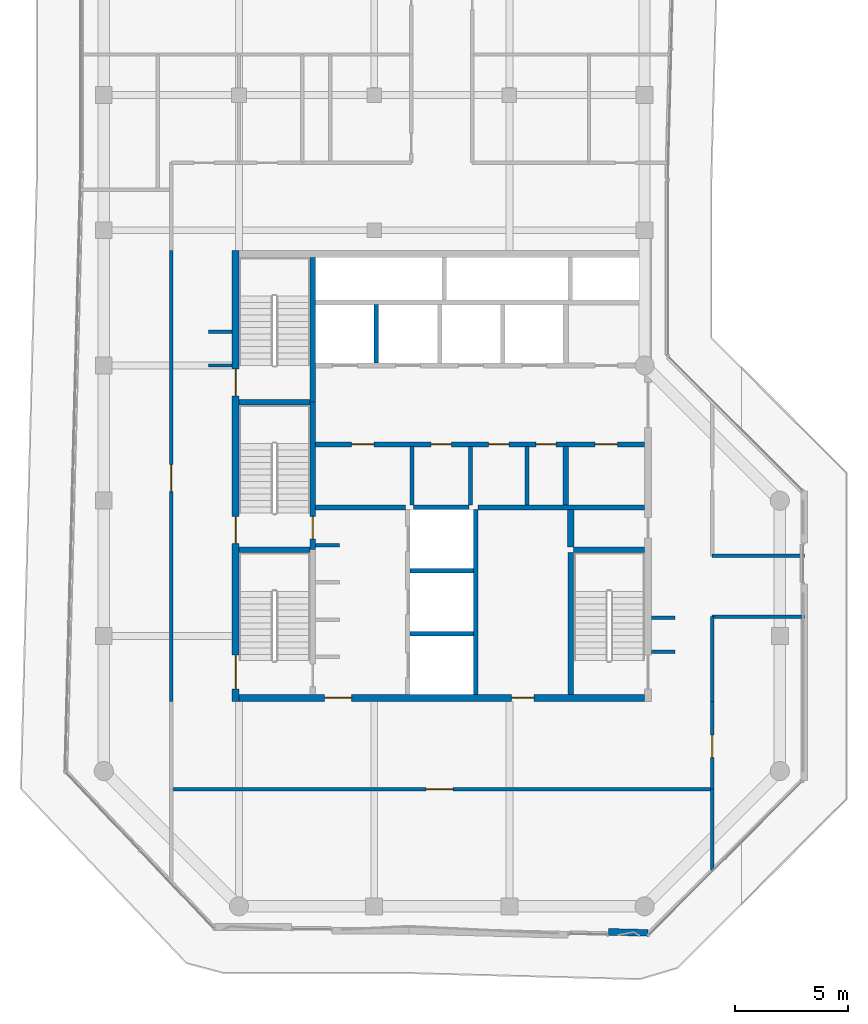
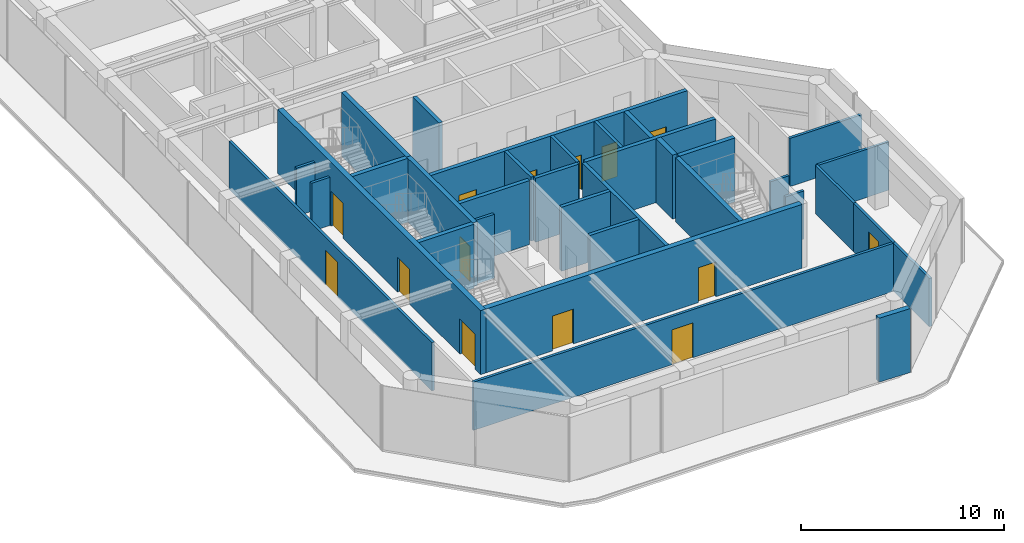
# One storey, part 14 of 18: 34 walls, 14 doors, 14 openings.
"""IFC4 building model written with IfcOpenShell, lengths in metres."""

import ifcopenshell
import ifcopenshell.guid

model = None  # the IFC model being written
_history = None  # IfcOwnerHistory: only IFC2X3 demands one
_inside = {}  # id of a spatial element -> (the spatial element, [elements in it])
_under = {}  # id of a project, library or spatial element -> (it, [spatial elements below it])
_declared = {}  # id of a project -> (the project, [libraries it declares])
_typed = {}  # id of a type object -> (the type object, [elements of that type])
_made_of = {}  # id of a material, layer set ... -> (it, [elements and type objects made of it])


def new_model(schema):
    """Start an empty IFC model of exactly this schema.

    Asked for "IFC4X3", IfcOpenShell would pick the latest addendum, in which some entities
    have other attributes; the version numbers below select the first issue.
    IFC2X3 requires an IfcOwnerHistory on every rooted entity: one is made here for all.
    """
    global model, _history
    if schema == "IFC4X3":
        model = ifcopenshell.file(schema_version=(4, 3, 0, 0))
    else:
        model = ifcopenshell.file(schema=schema)
    _inside.clear()
    _under.clear()
    _declared.clear()
    _typed.clear()
    _made_of.clear()
    _history = None
    if model.schema == "IFC2X3":
        org = make("IfcOrganization", Name="unknown")
        user = make(
            "IfcPersonAndOrganization",
            ThePerson=make("IfcPerson", FamilyName="unknown"),
            TheOrganization=org,
        )
        app = make(
            "IfcApplication",
            ApplicationDeveloper=org,
            Version="unknown",
            ApplicationFullName="unknown",
            ApplicationIdentifier="unknown",
        )
        _history = make(
            "IfcOwnerHistory",
            OwningUser=user,
            OwningApplication=app,
            ChangeAction="ADDED",
            CreationDate=0,
        )
    return model


def make(cls, **values):
    """One entity of the class cls with the attributes given. An attribute that is None is left unset."""
    return model.create_entity(
        cls, **{name: value for name, value in values.items() if value is not None}
    )


def rooted(cls, **values):
    """An entity with a GlobalId (a new one), such as an element, a storey or a relation."""
    return make(cls, GlobalId=ifcopenshell.guid.new(), OwnerHistory=_history, **values)


def si_unit(unit_type, name, prefix=None):
    """IfcSIUnit, for example si_unit("LENGTHUNIT", "METRE", prefix="MILLI")."""
    return make("IfcSIUnit", UnitType=unit_type, Prefix=prefix, Name=name)


def assignment(units):
    """IfcUnitAssignment: the units of a project."""
    return None if units is None else make("IfcUnitAssignment", Units=units)


def point(xyz):
    """IfcCartesianPoint."""
    return None if xyz is None else make("IfcCartesianPoint", Coordinates=xyz)


def direction(xyz):
    """IfcDirection."""
    return None if xyz is None else make("IfcDirection", DirectionRatios=xyz)


def frame(location, z_axis=None, x_axis=None):
    """IfcAxis2Placement3D, a coordinate frame: its origin and axes. An axis left out is left unset."""
    return make(
        "IfcAxis2Placement3D",
        Location=point(location),
        Axis=direction(z_axis),
        RefDirection=direction(x_axis),
    )


def frame_2d(location, x_axis=None):
    """IfcAxis2Placement2D, a coordinate frame in the plane: its origin and x axis."""
    return make(
        "IfcAxis2Placement2D", Location=point(location), RefDirection=direction(x_axis)
    )


def origin():
    """The frame at (0, 0, 0) with its axes left unset."""
    return frame((0.0, 0.0, 0.0))


def place(relative_to, where):
    """IfcLocalPlacement: puts the frame where relative to a parent placement (None: the world)."""
    return make(
        "IfcLocalPlacement", PlacementRelTo=relative_to, RelativePlacement=where
    )


def context(
    kind, dimensions, precision=None, world=None, true_north=None, identifier=None
):
    """IfcGeometricRepresentationContext, for example the 3D "Model" context."""
    return make(
        "IfcGeometricRepresentationContext",
        ContextIdentifier=identifier,
        ContextType=kind,
        CoordinateSpaceDimension=dimensions,
        Precision=precision,
        WorldCoordinateSystem=world,
        TrueNorth=true_north,
    )


def subcontext(parent, identifier, kind, view, scale=None):
    """IfcGeometricRepresentationSubContext, for example "Body" below "Model"."""
    return make(
        "IfcGeometricRepresentationSubContext",
        ContextIdentifier=identifier,
        ContextType=kind,
        ParentContext=parent,
        TargetScale=scale,
        TargetView=view,
    )


def project(units=None, contexts=None):
    """IfcProject with its units and contexts."""
    return rooted(
        "IfcProject",
        Name="project",
        RepresentationContexts=contexts,
        UnitsInContext=assignment(units),
    )


def spatial(cls, under=None, at=None, **own):
    """A site, building, storey or space (cls), placed at a placement, below another one or the project."""
    s = rooted(cls, ObjectPlacement=at, **own)
    if under is not None:
        _under.setdefault(under.id(), (under, []))[1].append(s)
    return s


def profile(cls, at=None, kind="AREA", **sizes):
    """A parametric profile (cls). Its sizes go by their IFC names, for example OverallWidth=200.0."""
    return make(cls, ProfileType=kind, Position=at, **sizes)


def rectangle(**sizes):
    """IfcRectangleProfileDef."""
    return profile("IfcRectangleProfileDef", **sizes)


def extrude(swept, where, along, depth):
    """IfcExtrudedAreaSolid: the profile swept, set in the frame where, extruded along a direction by depth."""
    return make(
        "IfcExtrudedAreaSolid",
        SweptArea=swept,
        Position=where,
        ExtrudedDirection=direction(along),
        Depth=depth,
    )


def shape(context_of_items, identifier, shape_type, items):
    """IfcShapeRepresentation: the items that make up one representation, for example the "Body"."""
    return make(
        "IfcShapeRepresentation",
        ContextOfItems=context_of_items,
        RepresentationIdentifier=identifier,
        RepresentationType=shape_type,
        Items=items,
    )


def material(Name=None, Category=None):
    """IfcMaterial."""
    return make("IfcMaterial", Name=Name, Category=Category)


def layer(
    of_material, thickness, ventilated=None, Name=None, Category=None, Priority=None
):
    """IfcMaterialLayer: one layer of a wall or slab, of a material (None: an air gap)."""
    return make(
        "IfcMaterialLayer",
        Material=of_material,
        LayerThickness=thickness,
        IsVentilated=ventilated,
        Name=Name,
        Category=Category,
        Priority=Priority,
    )


def layer_set(layers, Name=None):
    """IfcMaterialLayerSet."""
    return make("IfcMaterialLayerSet", MaterialLayers=layers, LayerSetName=Name)


def made_of(thing, what):
    """Note that an element or type object is made of a material, layer set ...; save() writes the relation."""
    if what is not None:
        _made_of.setdefault(what.id(), (what, []))[1].append(thing)
    return thing


def type_object(cls, material=None, **own):
    """A type object (cls), such as IfcWallType, which elements share."""
    return made_of(rooted(cls, **own), material)


def element(
    cls,
    number,
    at=None,
    inside=None,
    cuts=None,
    type_object=None,
    material=None,
    context=None,
    identifier="Body",
    shape_type=None,
    held_by="IfcProductDefinitionShape",
    body=None,
    shapes=None,
    **own,
):
    """One element of the class cls, such as IfcWall. Its Tag is "e" and its number.

    at: its placement. inside: the storey or other place that contains it. cuts: it is an
    opening in that element (IfcRelVoidsElement). A single representation is given by context,
    identifier, shape_type and body (its items); several are given by shapes. held_by: the class
    of the entity that holds the representations. save() writes the other relations.
    """
    e = rooted(cls, Tag="e%d" % number, ObjectPlacement=at, **own)
    if body is not None:
        shapes = [shape(context, identifier, shape_type, body)]
    if shapes is not None:
        e.Representation = make(held_by, Representations=shapes)
    if inside is not None:
        _inside.setdefault(inside.id(), (inside, []))[1].append(e)
    if cuts is not None:
        rooted(
            "IfcRelVoidsElement", RelatingBuildingElement=cuts, RelatedOpeningElement=e
        )
    if type_object is not None:
        _typed.setdefault(type_object.id(), (type_object, []))[1].append(e)
    return made_of(e, material)


def fill(opening, filler):
    """IfcRelFillsElement: the door or window that sits in an opening."""
    return rooted(
        "IfcRelFillsElement",
        RelatingOpeningElement=opening,
        RelatedBuildingElement=filler,
    )


def aggregate(whole, parts):
    """IfcRelAggregates: a whole, such as a stair, and the parts it consists of."""
    return rooted("IfcRelAggregates", RelatingObject=whole, RelatedObjects=parts)


def save(model, path):
    """Write the relations noted so far, then the file.

    IfcRelAggregates (storeys below a building ...), IfcRelContainedInSpatialStructure (elements
    in a storey), IfcRelDefinesByType, IfcRelAssociatesMaterial and IfcRelDeclares: one each for
    every whole, place, type object, material and project.
    """
    for whole, parts in _under.values():
        aggregate(whole, parts)
    for where, things in _inside.values():
        rooted(
            "IfcRelContainedInSpatialStructure",
            RelatedElements=things,
            RelatingStructure=where,
        )
    for kind, things in _typed.values():
        rooted("IfcRelDefinesByType", RelatedObjects=things, RelatingType=kind)
    for what, things in _made_of.values():
        rooted("IfcRelAssociatesMaterial", RelatedObjects=things, RelatingMaterial=what)
    for by, libraries in _declared.values():
        rooted("IfcRelDeclares", RelatingContext=by, RelatedDefinitions=libraries)
    model.write(path)


model = new_model("IFC4")

# Units and contexts
model_context = context("Model", 3, precision=1e-05, world=origin(), true_north=direction((0.0, 1.0)))
body_context = subcontext(model_context, "Body", "Model", "MODEL_VIEW")
ifc_project = project(units=[si_unit("LENGTHUNIT", "METRE"), si_unit("AREAUNIT", "SQUARE_METRE"), si_unit("VOLUMEUNIT", "CUBIC_METRE"), si_unit("PLANEANGLEUNIT", "RADIAN"), si_unit("MASSUNIT", "GRAM", prefix="KILO")], contexts=[model_context])

# Site, building, storey
site_placement = place(None, origin())
site = spatial("IfcSite", under=ifc_project, at=site_placement, CompositionType="ELEMENT")
building_placement = place(site_placement, origin())
building = spatial("IfcBuilding", under=site, at=building_placement, Name="Welwitschia Terrace Campus", CompositionType="ELEMENT")
storey_placement = place(building_placement, frame((0.0, 0.0, 281.0)))
storey = spatial("IfcBuildingStorey", under=building, at=storey_placement, Name="L62", CompositionType="ELEMENT", Elevation=281.0)

# Walls
ifc_material_1 = material(Name="Concrete C32/40", Category="concrete")
ifc_layer_1 = layer(ifc_material_1, 0.175048828125)
ifc_layer_set_1 = layer_set([ifc_layer_1], Name="Concrete C32/40")
wall_type_1 = type_object("IfcWallType", Name="Core partition 175 Concrete C32/40", PredefinedType="PARTITIONING", material=ifc_layer_set_1)
for number, where, z_axis, x_axis, name in (
    (1, (13.675048828125, 13.800048828125, 0.0), (0.0, 0.0, 1.0), (0.0, 1.0, 0.0), "Core partition"),
    (2, (16.27490234375, 13.800048828125, 0.0), (0.0, 0.0, 1.0), (0.0, 1.0, 0.0), "Core partition"),
    (3, (18.77490234375, 13.800048828125, 0.0), (0.0, 0.0, 1.0), (0.0, 1.0, 0.0), "Core partition"),
):
    element("IfcWall", number, at=place(storey_placement, frame(where, z_axis=z_axis, x_axis=x_axis)), inside=storey, type_object=wall_type_1, Name=name, PredefinedType="PARTITIONING", context=body_context, shape_type="SweptSolid", body=[
        extrude(rectangle(XDim=2.599853515625, YDim=0.175048828125, at=frame_2d((1.2998046875, 0.0))), origin(), (0.0, 0.0, 1.0), 3.85009765625),
    ])
ifc_material_2 = material(Name="Concrete C32/40", Category="concrete")
ifc_layer_2 = layer(ifc_material_2, 0.22509765625)
ifc_layer_set_2 = layer_set([ifc_layer_2], Name="Concrete C32/40")
wall_type_2 = type_object("IfcWallType", Name="Core partition 225 Concrete C32/40", PredefinedType="PARTITIONING", material=ifc_layer_set_2)
wall_1_placement = place(storey_placement, frame((9.39990234375, 13.699951171875, 0.0), z_axis=(0.0, 0.0, 1.0), x_axis=(1.0, 0.0, 0.0)))
element("IfcWall", 4, at=wall_1_placement, inside=storey, type_object=wall_type_2, Name="Core partition", PredefinedType="PARTITIONING", context=body_context, shape_type="SweptSolid", body=[
    extrude(rectangle(XDim=4.0, YDim=0.22509765625, at=frame_2d((2.0, 0.0))), origin(), (0.0, 0.0, 1.0), 3.85009765625),
])
wall_2_placement = place(storey_placement, frame((16.60009765625, 13.699951171875, 0.0), z_axis=(0.0, 0.0, 1.0), x_axis=(1.0, 0.0, 0.0)))
element("IfcWall", 5, at=wall_2_placement, inside=storey, type_object=wall_type_2, Name="Core partition", PredefinedType="PARTITIONING", context=body_context, shape_type="SweptSolid", body=[
    extrude(rectangle(XDim=7.39990234375, YDim=0.22509765625, at=frame_2d((3.699951171875, 0.0))), origin(), (0.0, 0.0, 1.0), 3.85009765625),
])

# Wall, openings, doors
wall_3_placement = place(storey_placement, frame((9.39990234375, 16.5, 0.0), z_axis=(0.0, 0.0, 1.0), x_axis=(1.0, 0.0, 0.0)))
wall_3 = element("IfcWall", 6, at=wall_3_placement, inside=storey, type_object=wall_type_2, Name="Core partition", PredefinedType="PARTITIONING", context=body_context, shape_type="SweptSolid", body=[
    extrude(rectangle(XDim=14.60009765625, YDim=0.22509765625, at=frame_2d((7.300048828125, 0.0))), origin(), (0.0, 0.0, 1.0), 3.85009765625),
])
opening_1_placement = place(wall_3_placement, frame((1.60009765625, 0.0, 0.0)))
opening_1 = element("IfcOpeningElement", 7, at=opening_1_placement, cuts=wall_3, Name="Opening DR10", PredefinedType="OPENING", context=body_context, shape_type="SweptSolid", body=[
    extrude(rectangle(XDim=1.0, YDim=2.10009765625, at=frame_2d((0.5, 1.050048828125))), frame((0.0, 0.12255859375, 0.0), z_axis=(0.0, -1.0, 0.0), x_axis=(1.0, 0.0, 0.0)), (0.0, 0.0, 1.0), 0.2451171875),
])
opening_2_placement = place(wall_3_placement, frame((5.125, 0.0, 0.0)))
opening_2 = element("IfcOpeningElement", 8, at=opening_2_placement, cuts=wall_3, Name="Opening DR09", PredefinedType="OPENING", context=body_context, shape_type="SweptSolid", body=[
    extrude(rectangle(XDim=0.89990234375, YDim=2.10009765625, at=frame_2d((0.449951171875, 1.050048828125))), frame((0.0, 0.12255859375, 0.0), z_axis=(0.0, -1.0, 0.0), x_axis=(1.0, 0.0, 0.0)), (0.0, 0.0, 1.0), 0.2451171875),
])
opening_3_placement = place(wall_3_placement, frame((7.675048828125, 0.0, 0.0)))
opening_3 = element("IfcOpeningElement", 9, at=opening_3_placement, cuts=wall_3, Name="Opening DR09", PredefinedType="OPENING", context=body_context, shape_type="SweptSolid", body=[
    extrude(rectangle(XDim=0.89990234375, YDim=2.10009765625, at=frame_2d((0.449951171875, 1.050048828125))), frame((0.0, 0.12255859375, 0.0), z_axis=(0.0, -1.0, 0.0), x_axis=(1.0, 0.0, 0.0)), (0.0, 0.0, 1.0), 0.2451171875),
])
opening_4_placement = place(wall_3_placement, frame((9.77490234375, 0.0, 0.0)))
opening_4 = element("IfcOpeningElement", 10, at=opening_4_placement, cuts=wall_3, Name="Opening DR09", PredefinedType="OPENING", context=body_context, shape_type="SweptSolid", body=[
    extrude(rectangle(XDim=0.89990234375, YDim=2.10009765625, at=frame_2d((0.449951171875, 1.050048828125))), frame((0.0, 0.12255859375, 0.0), z_axis=(0.0, -1.0, 0.0), x_axis=(1.0, 0.0, 0.0)), (0.0, 0.0, 1.0), 0.2451171875),
])
opening_5_placement = place(wall_3_placement, frame((12.39990234375, 0.0, 0.0)))
opening_5 = element("IfcOpeningElement", 11, at=opening_5_placement, cuts=wall_3, Name="Opening DR10", PredefinedType="OPENING", context=body_context, shape_type="SweptSolid", body=[
    extrude(rectangle(XDim=1.0, YDim=2.10009765625, at=frame_2d((0.5, 1.050048828125))), frame((0.0, 0.12255859375, 0.0), z_axis=(0.0, -1.0, 0.0), x_axis=(1.0, 0.0, 0.0)), (0.0, 0.0, 1.0), 0.2451171875),
])
ifc_material_3 = material(Name="Steel S275", Category="steel")
door_type_1 = type_object("IfcDoorType", Name="Core door DR09", OperationType="SINGLE_SWING_LEFT", PredefinedType="DOOR", material=ifc_material_3)
door_1_placement = place(opening_2_placement, origin())
door_1 = element("IfcDoor", 12, at=door_1_placement, inside=storey, type_object=door_type_1, Name="Door BAYL2-D", OperationType="SINGLE_SWING_LEFT", OverallHeight=2.10009765625, OverallWidth=0.89990234375, PredefinedType="DOOR", context=body_context, shape_type="SweptSolid", body=[
    extrude(rectangle(XDim=0.89990234375, YDim=2.10009765625, at=frame_2d((0.449951171875, 1.050048828125))), frame((0.0, 0.02490234375, 0.0), z_axis=(0.0, -1.0, 0.0), x_axis=(1.0, 0.0, 0.0)), (0.0, 0.0, 1.0), 0.050048828125),
])
fill(opening_2, door_1)
door_2_placement = place(opening_3_placement, origin())
door_2 = element("IfcDoor", 13, at=door_2_placement, inside=storey, type_object=door_type_1, Name="Door BAYL3-D", OperationType="SINGLE_SWING_RIGHT", OverallHeight=2.10009765625, OverallWidth=0.89990234375, PredefinedType="DOOR", context=body_context, shape_type="SweptSolid", body=[
    extrude(rectangle(XDim=0.89990234375, YDim=2.10009765625, at=frame_2d((0.449951171875, 1.050048828125))), frame((0.0, 0.02490234375, 0.0), z_axis=(0.0, -1.0, 0.0), x_axis=(1.0, 0.0, 0.0)), (0.0, 0.0, 1.0), 0.050048828125),
])
fill(opening_3, door_2)
door_3_placement = place(opening_4_placement, origin())
door_3 = element("IfcDoor", 14, at=door_3_placement, inside=storey, type_object=door_type_1, Name="Door BAYL4-D", OperationType="SINGLE_SWING_RIGHT", OverallHeight=2.10009765625, OverallWidth=0.89990234375, PredefinedType="DOOR", context=body_context, shape_type="SweptSolid", body=[
    extrude(rectangle(XDim=0.89990234375, YDim=2.10009765625, at=frame_2d((0.449951171875, 1.050048828125))), frame((0.0, 0.02490234375, 0.0), z_axis=(0.0, -1.0, 0.0), x_axis=(1.0, 0.0, 0.0)), (0.0, 0.0, 1.0), 0.050048828125),
])
fill(opening_4, door_3)
ifc_material_4 = material(Name="Steel S275", Category="steel")
door_type_2 = type_object("IfcDoorType", Name="Core door DR10", OperationType="SINGLE_SWING_LEFT", PredefinedType="DOOR", material=ifc_material_4)
door_4_placement = place(opening_1_placement, origin())
door_4 = element("IfcDoor", 15, at=door_4_placement, inside=storey, type_object=door_type_2, Name="Door BAYL1-D", OperationType="SINGLE_SWING_LEFT", OverallHeight=2.10009765625, OverallWidth=1.0, PredefinedType="DOOR", context=body_context, shape_type="SweptSolid", body=[
    extrude(rectangle(XDim=1.0, YDim=2.10009765625, at=frame_2d((0.5, 1.050048828125))), frame((0.0, 0.02490234375, 0.0), z_axis=(0.0, -1.0, 0.0), x_axis=(1.0, 0.0, 0.0)), (0.0, 0.0, 1.0), 0.050048828125),
])
fill(opening_1, door_4)
door_5_placement = place(opening_5_placement, origin())
door_5 = element("IfcDoor", 16, at=door_5_placement, inside=storey, type_object=door_type_2, Name="Door EL-D", OperationType="SINGLE_SWING_RIGHT", OverallHeight=2.10009765625, OverallWidth=1.0, PredefinedType="DOOR", context=body_context, shape_type="SweptSolid", body=[
    extrude(rectangle(XDim=1.0, YDim=2.10009765625, at=frame_2d((0.5, 1.050048828125))), frame((0.0, 0.02490234375, 0.0), z_axis=(0.0, -1.0, 0.0), x_axis=(1.0, 0.0, 0.0)), (0.0, 0.0, 1.0), 0.050048828125),
])
fill(opening_5, door_5)

# Walls
wall_4_placement = place(storey_placement, frame((20.5, 13.800048828125, 0.0), z_axis=(0.0, 0.0, 1.0), x_axis=(0.0, 1.0, 0.0)))
element("IfcWall", 17, at=wall_4_placement, inside=storey, type_object=wall_type_2, Name="Core partition", PredefinedType="PARTITIONING", context=body_context, shape_type="SweptSolid", body=[
    extrude(rectangle(XDim=2.599853515625, YDim=0.22509765625, at=frame_2d((1.2998046875, 0.0))), origin(), (0.0, 0.0, 1.0), 3.85009765625),
])
ifc_material_5 = material(Name="Concrete C32/40", Category="concrete")
ifc_layer_3 = layer(ifc_material_5, 0.27490234375)
ifc_layer_set_3 = layer_set([ifc_layer_3], Name="Concrete C32/40")
wall_type_3 = type_object("IfcWallType", Name="Core partition 275 Concrete C32/40", PredefinedType="PARTITIONING", material=ifc_layer_set_3)
wall_5_placement = place(storey_placement, frame((20.72509765625, 11.949951171875, 0.0), z_axis=(0.0, 0.0, 1.0), x_axis=(0.0, 1.0, 0.0)))
element("IfcWall", 18, at=wall_5_placement, inside=storey, type_object=wall_type_3, Name="Core partition", PredefinedType="PARTITIONING", context=body_context, shape_type="SweptSolid", body=[
    extrude(rectangle(XDim=1.650146484375, YDim=0.27490234375, at=frame_2d((0.8251953125, 0.0))), origin(), (0.0, 0.0, 1.0), 3.85009765625),
])
ifc_material_6 = material(Name="Concrete C50/60", Category="concrete")
ifc_layer_4 = layer(ifc_material_6, 0.14990234375)
ifc_layer_set_4 = layer_set([ifc_layer_4], Name="Concrete C50/60")
wall_type_4 = type_object("IfcWallType", Name="Core wall 150 Concrete C50/60", PredefinedType="SHEAR", material=ifc_layer_set_4)
wall_6_placement = place(storey_placement, frame((9.39990234375, 12.02490234375, 0.0), z_axis=(0.0, 0.0, 1.0), x_axis=(1.0, 0.0, 0.0)))
element("IfcWall", 19, at=wall_6_placement, inside=storey, type_object=wall_type_4, Name="Core wall", PredefinedType="SHEAR", context=body_context, shape_type="SweptSolid", body=[
    extrude(rectangle(XDim=1.050048828125, YDim=0.14990234375, at=frame_2d((0.52490234375, 0.0))), origin(), (0.0, 0.0, 1.0), 3.85009765625),
])
ifc_material_7 = material(Name="Concrete C50/60", Category="concrete")
ifc_layer_5 = layer(ifc_material_7, 0.199951171875)
ifc_layer_set_5 = layer_set([ifc_layer_5], Name="Concrete C50/60")
wall_type_5 = type_object("IfcWallType", Name="Core wall 200 Concrete C50/60", PredefinedType="SHEAR", material=ifc_layer_set_5)
for number, where, z_axis, x_axis, name in (
    (20, (13.60009765625, 8.10009765625, 0.0), (0.0, 0.0, 1.0), (1.0, 0.0, 0.0), "Core wall"),
    (21, (13.60009765625, 10.89990234375, 0.0), (0.0, 0.0, 1.0), (1.0, 0.0, 0.0), "Core wall"),
):
    element("IfcWall", number, at=place(storey_placement, frame(where, z_axis=z_axis, x_axis=x_axis)), inside=storey, type_object=wall_type_5, Name=name, PredefinedType="SHEAR", context=body_context, shape_type="SweptSolid", body=[
        extrude(rectangle(XDim=2.7998046875, YDim=0.199951171875, at=frame_2d((1.39990234375, 0.0))), origin(), (0.0, 0.0, 1.0), 3.85009765625),
    ])
wall_7_placement = place(storey_placement, frame((13.75, 13.699951171875, 0.0), z_axis=(0.0, 0.0, 1.0), x_axis=(1.0, 0.0, 0.0)))
element("IfcWall", 22, at=wall_7_placement, inside=storey, type_object=wall_type_5, Name="Core wall", PredefinedType="SHEAR", context=body_context, shape_type="SweptSolid", body=[
    extrude(rectangle(XDim=2.449951171875, YDim=0.199951171875, at=frame_2d((1.22509765625, 0.0))), origin(), (0.0, 0.0, 1.0), 3.85009765625),
])
wall_8_placement = place(storey_placement, frame((16.5, 5.39990234375, 0.0), z_axis=(0.0, 0.0, 1.0), x_axis=(0.0, 1.0, 0.0)))
element("IfcWall", 23, at=wall_8_placement, inside=storey, type_object=wall_type_5, Name="Core wall", PredefinedType="SHEAR", context=body_context, shape_type="SweptSolid", body=[
    extrude(rectangle(XDim=8.2001953125, YDim=0.199951171875, at=frame_2d((4.10009765625, 0.0))), origin(), (0.0, 0.0, 1.0), 3.85009765625),
])
ifc_material_8 = material(Name="Concrete C50/60", Category="concrete")
ifc_layer_6 = layer(ifc_material_8, 0.25)
ifc_layer_set_6 = layer_set([ifc_layer_6], Name="Concrete C50/60")
wall_type_6 = type_object("IfcWallType", Name="Core wall 250 Concrete C50/60", PredefinedType="SHEAR", material=ifc_layer_set_6)
for number, where, z_axis, x_axis, name in (
    (24, (6.0, 11.824951171875, 0.0), (0.0, 0.0, 1.0), (1.0, 0.0, 0.0), "Core wall"),
    (25, (20.85009765625, 11.824951171875, 0.0), (0.0, 0.0, 1.0), (1.0, 0.0, 0.0), "Core wall"),
    (26, (6.0, 18.375, 0.0), (0.0, 0.0, 1.0), (1.0, 0.0, 0.0), "Core wall"),
):
    element("IfcWall", number, at=place(storey_placement, frame(where, z_axis=z_axis, x_axis=x_axis)), inside=storey, type_object=wall_type_6, Name=name, PredefinedType="SHEAR", context=body_context, shape_type="SweptSolid", body=[
        extrude(rectangle(XDim=3.14990234375, YDim=0.25, at=frame_2d((1.574951171875, 0.0))), origin(), (0.0, 0.0, 1.0), 3.85009765625),
    ])

# Wall, opening, door
wall_9_placement = place(storey_placement, frame((9.27490234375, 18.375, 0.0), z_axis=(0.0, 0.0, 1.0), x_axis=(0.0, -1.0, 0.0)))
wall_9 = element("IfcWall", 27, at=wall_9_placement, inside=storey, type_object=wall_type_6, Name="Core wall", PredefinedType="SHEAR", context=body_context, shape_type="SweptSolid", body=[
    extrude(rectangle(XDim=6.550048828125, YDim=0.25, at=frame_2d((3.27490234375, 0.0))), origin(), (0.0, 0.0, 1.0), 3.85009765625),
])
opening_6_placement = place(wall_9_placement, frame((5.074951171875, 0.0, 0.0)))
opening_6 = element("IfcOpeningElement", 28, at=opening_6_placement, cuts=wall_9, Name="Opening DS10", PredefinedType="OPENING", context=body_context, shape_type="SweptSolid", body=[
    extrude(rectangle(XDim=1.0, YDim=2.10009765625, at=frame_2d((0.5, 1.050048828125))), frame((0.0, 0.135009765625, 0.0), z_axis=(0.0, -1.0, 0.0), x_axis=(1.0, 0.0, 0.0)), (0.0, 0.0, 1.0), 0.27001953125),
])
ifc_material_9 = material(Name="Steel S275", Category="steel")
door_type_3 = type_object("IfcDoorType", Name="Core door DS10", OperationType="SINGLE_SWING_LEFT", PredefinedType="DOOR", material=ifc_material_9)
door_6_placement = place(opening_6_placement, origin())
door_6 = element("IfcDoor", 29, at=door_6_placement, inside=storey, type_object=door_type_3, Name="Door S3-FL", OperationType="SINGLE_SWING_RIGHT", OverallHeight=2.10009765625, OverallWidth=1.0, PredefinedType="DOOR", context=body_context, shape_type="SweptSolid", body=[
    extrude(rectangle(XDim=1.0, YDim=2.10009765625, at=frame_2d((0.5, 1.050048828125))), frame((0.0, 0.02490234375, 0.0), z_axis=(0.0, -1.0, 0.0), x_axis=(1.0, 0.0, 0.0)), (0.0, 0.0, 1.0), 0.050048828125),
])
fill(opening_6, door_6)

# Walls
wall_10_placement = place(storey_placement, frame((9.27490234375, 18.375, 0.0), z_axis=(0.0, 0.0, 1.0), x_axis=(0.0, 1.0, 0.0)))
element("IfcWall", 30, at=wall_10_placement, inside=storey, type_object=wall_type_6, Name="Core wall", PredefinedType="SHEAR", context=body_context, shape_type="SweptSolid", body=[
    extrude(rectangle(XDim=6.425048828125, YDim=0.25, at=frame_2d((3.21240234375, 0.0))), origin(), (0.0, 0.0, 1.0), 3.85009765625),
])
wall_11_placement = place(storey_placement, frame((20.72509765625, 5.39990234375, 0.0), z_axis=(0.0, 0.0, 1.0), x_axis=(0.0, 1.0, 0.0)))
element("IfcWall", 31, at=wall_11_placement, inside=storey, type_object=wall_type_6, Name="Core wall", PredefinedType="SHEAR", context=body_context, shape_type="SweptSolid", body=[
    extrude(rectangle(XDim=6.300048828125, YDim=0.25, at=frame_2d((3.14990234375, 0.0))), origin(), (0.0, 0.0, 1.0), 3.85009765625),
])

# Wall, openings, doors
ifc_material_10 = material(Name="Concrete C50/60", Category="concrete")
ifc_layer_7 = layer(ifc_material_10, 0.300048828125)
ifc_layer_set_7 = layer_set([ifc_layer_7], Name="Concrete C50/60")
wall_type_7 = type_object("IfcWallType", Name="Core wall 300 Concrete C50/60", PredefinedType="SHEAR", material=ifc_layer_set_7)
wall_12_placement = place(storey_placement, frame((5.85009765625, 5.10009765625, 0.0), z_axis=(0.0, 0.0, 1.0), x_axis=(0.0, 1.0, 0.0)))
wall_12 = element("IfcWall", 32, at=wall_12_placement, inside=storey, type_object=wall_type_7, Name="Core outer wall", PredefinedType="SHEAR", context=body_context, shape_type="SweptSolid", body=[
    extrude(rectangle(XDim=20.0, YDim=0.300048828125, at=frame_2d((10.0, 0.0))), origin(), (0.0, 0.0, 1.0), 3.85009765625),
])
opening_7_placement = place(wall_12_placement, frame((0.550048828125, 0.0, 0.0)))
opening_7 = element("IfcOpeningElement", 33, at=opening_7_placement, cuts=wall_12, Name="Opening DS15", PredefinedType="OPENING", context=body_context, shape_type="SweptSolid", body=[
    extrude(rectangle(XDim=1.5, YDim=2.10009765625, at=frame_2d((0.75, 1.050048828125))), frame((0.0, 0.159912109375, 0.0), z_axis=(0.0, -1.0, 0.0), x_axis=(1.0, 0.0, 0.0)), (0.0, 0.0, 1.0), 0.320068359375),
])
opening_8_placement = place(wall_12_placement, frame((7.0, 0.0, 0.0)))
opening_8 = element("IfcOpeningElement", 34, at=opening_8_placement, cuts=wall_12, Name="Opening DS12", PredefinedType="OPENING", context=body_context, shape_type="SweptSolid", body=[
    extrude(rectangle(XDim=1.199951171875, YDim=2.10009765625, at=frame_2d((0.60009765625, 1.050048828125))), frame((0.0, 0.159912109375, 0.0), z_axis=(0.0, -1.0, 0.0), x_axis=(1.0, 0.0, 0.0)), (0.0, 0.0, 1.0), 0.320068359375),
])
opening_9_placement = place(wall_12_placement, frame((13.550048828125, 0.0, 0.0)))
opening_9 = element("IfcOpeningElement", 35, at=opening_9_placement, cuts=wall_12, Name="Opening DS12", PredefinedType="OPENING", context=body_context, shape_type="SweptSolid", body=[
    extrude(rectangle(XDim=1.199951171875, YDim=2.10009765625, at=frame_2d((0.60009765625, 1.050048828125))), frame((0.0, 0.159912109375, 0.0), z_axis=(0.0, -1.0, 0.0), x_axis=(1.0, 0.0, 0.0)), (0.0, 0.0, 1.0), 0.320068359375),
])
ifc_material_11 = material(Name="Steel S275", Category="steel")
door_type_4 = type_object("IfcDoorType", Name="Core door DS12", OperationType="SINGLE_SWING_LEFT", PredefinedType="DOOR", material=ifc_material_11)
door_7_placement = place(opening_8_placement, origin())
door_7 = element("IfcDoor", 36, at=door_7_placement, inside=storey, type_object=door_type_4, Name="Door S3-out", OperationType="SINGLE_SWING_LEFT", OverallHeight=2.10009765625, OverallWidth=1.199951171875, PredefinedType="DOOR", context=body_context, shape_type="SweptSolid", body=[
    extrude(rectangle(XDim=1.199951171875, YDim=2.10009765625, at=frame_2d((0.60009765625, 1.050048828125))), frame((0.0, 0.02490234375, 0.0), z_axis=(0.0, -1.0, 0.0), x_axis=(1.0, 0.0, 0.0)), (0.0, 0.0, 1.0), 0.050048828125),
])
fill(opening_8, door_7)
door_8_placement = place(opening_9_placement, origin())
door_8 = element("IfcDoor", 37, at=door_8_placement, inside=storey, type_object=door_type_4, Name="Door S4-out", OperationType="SINGLE_SWING_RIGHT", OverallHeight=2.10009765625, OverallWidth=1.199951171875, PredefinedType="DOOR", context=body_context, shape_type="SweptSolid", body=[
    extrude(rectangle(XDim=1.199951171875, YDim=2.10009765625, at=frame_2d((0.60009765625, 1.050048828125))), frame((0.0, 0.02490234375, 0.0), z_axis=(0.0, -1.0, 0.0), x_axis=(1.0, 0.0, 0.0)), (0.0, 0.0, 1.0), 0.050048828125),
])
fill(opening_9, door_8)
ifc_material_12 = material(Name="Steel S275", Category="steel")
door_type_5 = type_object("IfcDoorType", Name="Core door DS15", OperationType="DOUBLE_DOOR_SINGLE_SWING", PredefinedType="DOOR", material=ifc_material_12)
door_9_placement = place(opening_7_placement, origin())
door_9 = element("IfcDoor", 38, at=door_9_placement, inside=storey, type_object=door_type_5, Name="Door S1-out", OperationType="DOUBLE_DOOR_SINGLE_SWING", OverallHeight=2.10009765625, OverallWidth=1.5, PredefinedType="DOOR", context=body_context, shape_type="SweptSolid", body=[
    extrude(rectangle(XDim=1.5, YDim=2.10009765625, at=frame_2d((0.75, 1.050048828125))), frame((0.0, 0.02490234375, 0.0), z_axis=(0.0, -1.0, 0.0), x_axis=(1.0, 0.0, 0.0)), (0.0, 0.0, 1.0), 0.050048828125),
])
fill(opening_7, door_9)

wall_13_placement = place(storey_placement, frame((24.0, 5.25, 0.0), z_axis=(0.0, 0.0, 1.0), x_axis=(-1.0, 0.0, 0.0)))
wall_13 = element("IfcWall", 39, at=wall_13_placement, inside=storey, type_object=wall_type_7, Name="Core outer wall", PredefinedType="SHEAR", context=body_context, shape_type="SweptSolid", body=[
    extrude(rectangle(XDim=18.0, YDim=0.300048828125, at=frame_2d((9.0, 0.0))), origin(), (0.0, 0.0, 1.0), 3.85009765625),
])
opening_10_placement = place(wall_13_placement, frame((13.0, 0.0, 0.0)))
opening_10 = element("IfcOpeningElement", 40, at=opening_10_placement, cuts=wall_13, Name="Opening DF12", PredefinedType="OPENING", context=body_context, shape_type="SweptSolid", body=[
    extrude(rectangle(XDim=1.199951171875, YDim=2.10009765625, at=frame_2d((0.60009765625, 1.050048828125))), frame((0.0, 0.159912109375, 0.0), z_axis=(0.0, -1.0, 0.0), x_axis=(1.0, 0.0, 0.0)), (0.0, 0.0, 1.0), 0.320068359375),
])
opening_11_placement = place(wall_13_placement, frame((4.89990234375, 0.0, 0.0)))
opening_11 = element("IfcOpeningElement", 41, at=opening_11_placement, cuts=wall_13, Name="Opening DR10", PredefinedType="OPENING", context=body_context, shape_type="SweptSolid", body=[
    extrude(rectangle(XDim=1.0, YDim=2.10009765625, at=frame_2d((0.5, 1.050048828125))), frame((0.0, 0.159912109375, 0.0), z_axis=(0.0, -1.0, 0.0), x_axis=(1.0, 0.0, 0.0)), (0.0, 0.0, 1.0), 0.320068359375),
])
ifc_material_13 = material(Name="Steel S275", Category="steel")
door_type_6 = type_object("IfcDoorType", Name="Core door DF12", OperationType="SINGLE_SWING_LEFT", PredefinedType="DOOR", material=ifc_material_13)
door_10_placement = place(opening_10_placement, origin())
door_10 = element("IfcDoor", 42, at=door_10_placement, inside=storey, type_object=door_type_6, Name="Door FL-out", OperationType="SINGLE_SWING_RIGHT", OverallHeight=2.10009765625, OverallWidth=1.199951171875, PredefinedType="DOOR", context=body_context, shape_type="SweptSolid", body=[
    extrude(rectangle(XDim=1.199951171875, YDim=2.10009765625, at=frame_2d((0.60009765625, 1.050048828125))), frame((0.0, 0.02490234375, 0.0), z_axis=(0.0, -1.0, 0.0), x_axis=(1.0, 0.0, 0.0)), (0.0, 0.0, 1.0), 0.050048828125),
])
fill(opening_10, door_10)
door_11_placement = place(opening_11_placement, origin())
door_11 = element("IfcDoor", 43, at=door_11_placement, inside=storey, type_object=door_type_2, Name="Door F1-out", OperationType="SINGLE_SWING_LEFT", OverallHeight=2.10009765625, OverallWidth=1.0, PredefinedType="DOOR", context=body_context, shape_type="SweptSolid", body=[
    extrude(rectangle(XDim=1.0, YDim=2.10009765625, at=frame_2d((0.5, 1.050048828125))), frame((0.0, 0.02490234375, 0.0), z_axis=(0.0, -1.0, 0.0), x_axis=(1.0, 0.0, 0.0)), (0.0, 0.0, 1.0), 0.050048828125),
])
fill(opening_11, door_11)

# Wall, opening, door
ifc_material_14 = material(Name="Gypsum board on steel studs", Category="steel")
ifc_layer_8 = layer(ifc_material_14, 0.14990234375)
ifc_layer_set_8 = layer_set([ifc_layer_8], Name="Gypsum board on steel studs")
wall_type_8 = type_object("IfcWallType", Name="Corridor partition 150 EI 30", PredefinedType="PARTITIONING", material=ifc_layer_set_8)
wall_14_placement = place(storey_placement, frame((3.0, 5.10009765625, 0.0), z_axis=(0.0, 0.0, 1.0), x_axis=(0.0, 1.0, 0.0)))
wall_14 = element("IfcWall", 44, at=wall_14_placement, inside=storey, type_object=wall_type_8, Name="Partition", PredefinedType="PARTITIONING", context=body_context, shape_type="SweptSolid", body=[
    extrude(rectangle(XDim=20.0, YDim=0.14990234375, at=frame_2d((10.0, 0.0))), origin(), (0.0, 0.0, 1.0), 2.89990234375),
])
opening_12_placement = place(wall_14_placement, frame((9.300048828125, 0.0, 0.0)))
opening_12 = element("IfcOpeningElement", 45, at=opening_12_placement, cuts=wall_14, Name="Opening DI12", PredefinedType="OPENING", context=body_context, shape_type="SweptSolid", body=[
    extrude(rectangle(XDim=1.199951171875, YDim=2.10009765625, at=frame_2d((0.60009765625, 1.050048828125))), frame((0.0, 0.0849609375, 0.0), z_axis=(0.0, -1.0, 0.0), x_axis=(1.0, 0.0, 0.0)), (0.0, 0.0, 1.0), 0.169921875),
])
ifc_material_15 = material(Name="Timber veneered door", Category="wood")
door_type_7 = type_object("IfcDoorType", Name="Interior door DI12", OperationType="NOTDEFINED", PredefinedType="DOOR", material=ifc_material_15)
door_12_placement = place(opening_12_placement, origin())
door_12 = element("IfcDoor", 46, at=door_12_placement, inside=storey, type_object=door_type_7, Name="Door L62 1104", OperationType="SINGLE_SWING_LEFT", OverallHeight=2.10009765625, OverallWidth=1.199951171875, PredefinedType="DOOR", context=body_context, shape_type="SweptSolid", body=[
    extrude(rectangle(XDim=1.199951171875, YDim=2.10009765625, at=frame_2d((0.60009765625, 1.050048828125))), frame((0.0, 0.02490234375, 0.0), z_axis=(0.0, -1.0, 0.0), x_axis=(1.0, 0.0, 0.0)), (0.0, 0.0, 1.0), 0.050048828125),
])
fill(opening_12, door_12)

# Walls
for number, where, z_axis, x_axis, name in (
    (47, (4.64990234375, 20.0, 0.0), (0.0, 0.0, 1.0), (1.0, 0.0, 0.0), "Partition"),
    (48, (4.64990234375, 21.5, 0.0), (0.0, 0.0, 1.0), (1.0, 0.0, 0.0), "Partition"),
    (49, (24.300048828125, 7.300048828125, 0.0), (0.0, 0.0, 1.0), (1.0, 0.0, 0.0), "Partition"),
    (50, (24.300048828125, 8.800048828125, 0.0), (0.0, 0.0, 1.0), (1.0, 0.0, 0.0), "Partition"),
):
    element("IfcWall", number, at=place(storey_placement, frame(where, z_axis=z_axis, x_axis=x_axis)), inside=storey, type_object=wall_type_8, Name=name, PredefinedType="PARTITIONING", context=body_context, shape_type="SweptSolid", body=[
        extrude(rectangle(XDim=1.050048828125, YDim=0.14990234375, at=frame_2d((0.52490234375, 0.0))), origin(), (0.0, 0.0, 1.0), 2.89990234375),
    ])
wall_15_placement = place(storey_placement, frame((27.0, -2.389892578125, 0.0), z_axis=(0.0, 0.0, 1.0), x_axis=(0.0, 1.0, 0.0)))
element("IfcWall", 51, at=wall_15_placement, inside=storey, type_object=wall_type_8, Name="Partition", PredefinedType="PARTITIONING", context=body_context, shape_type="SweptSolid", body=[
    extrude(rectangle(XDim=3.58984375, YDim=0.14990234375, at=frame_2d((1.794921875, 0.0))), origin(), (0.0, 0.0, 1.0), 2.89990234375),
])

# Wall, opening, door
wall_16_placement = place(storey_placement, frame((27.0, 1.199951171875, 0.0), z_axis=(0.0, 0.0, 1.0), x_axis=(-1.0, 0.0, 0.0)))
wall_16 = element("IfcWall", 52, at=wall_16_placement, inside=storey, type_object=wall_type_8, Name="Partition", PredefinedType="PARTITIONING", context=body_context, shape_type="SweptSolid", body=[
    extrude(rectangle(XDim=24.0, YDim=0.14990234375, at=frame_2d((12.0, 0.0))), origin(), (0.0, 0.0, 1.0), 2.89990234375),
])
opening_13_placement = place(wall_16_placement, frame((11.5, 0.0, 0.0)))
opening_13 = element("IfcOpeningElement", 53, at=opening_13_placement, cuts=wall_16, Name="Opening DI12", PredefinedType="OPENING", context=body_context, shape_type="SweptSolid", body=[
    extrude(rectangle(XDim=1.199951171875, YDim=2.10009765625, at=frame_2d((0.60009765625, 1.050048828125))), frame((0.0, 0.0849609375, 0.0), z_axis=(0.0, -1.0, 0.0), x_axis=(1.0, 0.0, 0.0)), (0.0, 0.0, 1.0), 0.169921875),
])
door_13_placement = place(opening_13_placement, origin())
door_13 = element("IfcDoor", 54, at=door_13_placement, inside=storey, type_object=door_type_7, Name="Door L62 1117", OperationType="SINGLE_SWING_RIGHT", OverallHeight=2.10009765625, OverallWidth=1.199951171875, PredefinedType="DOOR", context=body_context, shape_type="SweptSolid", body=[
    extrude(rectangle(XDim=1.199951171875, YDim=2.10009765625, at=frame_2d((0.60009765625, 1.050048828125))), frame((0.0, 0.02490234375, 0.0), z_axis=(0.0, -1.0, 0.0), x_axis=(1.0, 0.0, 0.0)), (0.0, 0.0, 1.0), 0.050048828125),
])
fill(opening_13, door_13)

wall_17_placement = place(storey_placement, frame((27.0, 5.10009765625, 0.0), z_axis=(0.0, 0.0, 1.0), x_axis=(0.0, -1.0, 0.0)))
wall_17 = element("IfcWall", 55, at=wall_17_placement, inside=storey, type_object=wall_type_8, Name="Partition", PredefinedType="PARTITIONING", context=body_context, shape_type="SweptSolid", body=[
    extrude(rectangle(XDim=3.900146484375, YDim=0.14990234375, at=frame_2d((1.9501953125, 0.0))), origin(), (0.0, 0.0, 1.0), 2.89990234375),
])
opening_14_placement = place(wall_17_placement, frame((1.5, 0.0, 0.0)))
opening_14 = element("IfcOpeningElement", 56, at=opening_14_placement, cuts=wall_17, Name="Opening DI10", PredefinedType="OPENING", context=body_context, shape_type="SweptSolid", body=[
    extrude(rectangle(XDim=1.0, YDim=2.10009765625, at=frame_2d((0.5, 1.050048828125))), frame((0.0, 0.0849609375, 0.0), z_axis=(0.0, -1.0, 0.0), x_axis=(1.0, 0.0, 0.0)), (0.0, 0.0, 1.0), 0.169921875),
])
ifc_material_16 = material(Name="Timber veneered door", Category="wood")
door_type_8 = type_object("IfcDoorType", Name="Interior door DI10", OperationType="NOTDEFINED", PredefinedType="DOOR", material=ifc_material_16)
door_14_placement = place(opening_14_placement, origin())
door_14 = element("IfcDoor", 57, at=door_14_placement, inside=storey, type_object=door_type_8, Name="Door L62 1118", OperationType="SINGLE_SWING_LEFT", OverallHeight=2.10009765625, OverallWidth=1.0, PredefinedType="DOOR", context=body_context, shape_type="SweptSolid", body=[
    extrude(rectangle(XDim=1.0, YDim=2.10009765625, at=frame_2d((0.5, 1.050048828125))), frame((0.0, 0.02490234375, 0.0), z_axis=(0.0, -1.0, 0.0), x_axis=(1.0, 0.0, 0.0)), (0.0, 0.0, 1.0), 0.050048828125),
])
fill(opening_14, door_14)

# Walls
wall_18_placement = place(storey_placement, frame((27.0, 5.10009765625, 0.0), z_axis=(0.0, 0.0, 1.0), x_axis=(0.0, 1.0, 0.0)))
element("IfcWall", 58, at=wall_18_placement, inside=storey, type_object=wall_type_8, Name="Partition", PredefinedType="PARTITIONING", context=body_context, shape_type="SweptSolid", body=[
    extrude(rectangle(XDim=3.75, YDim=0.14990234375, at=frame_2d((1.875, 0.0))), origin(), (0.0, 0.0, 1.0), 2.89990234375),
])
for number, where, z_axis, x_axis, name in (
    (59, (27.0, 8.85009765625, 0.0), (0.0, 0.0, 1.0), (1.0, 0.0, 0.0), "Partition"),
    (60, (27.0, 11.550048828125, 0.0), (0.0, 0.0, 1.0), (1.0, 0.0, 0.0), "Partition"),
):
    element("IfcWall", number, at=place(storey_placement, frame(where, z_axis=z_axis, x_axis=x_axis)), inside=storey, type_object=wall_type_8, Name=name, PredefinedType="PARTITIONING", context=body_context, shape_type="SweptSolid", body=[
        extrude(rectangle(XDim=4.090087890625, YDim=0.14990234375, at=frame_2d((2.044921875, 0.0))), origin(), (0.0, 0.0, 1.0), 2.89990234375),
    ])
ifc_material_17 = material(Name="Concrete C40/50", Category="concrete")
ifc_layer_9 = layer(ifc_material_17, 0.300048828125)
ifc_layer_set_9 = layer_set([ifc_layer_9], Name="Concrete C40/50")
wall_type_9 = type_object("IfcWallType", Name="Mass wall 300", PredefinedType="SOLIDWALL", material=ifc_layer_set_9)
wall_19_placement = place(storey_placement, frame((22.3984375, -5.13330078125, 0.0), z_axis=(0.0, 0.0, 1.0), x_axis=(0.999657665307, -0.026163948361, 0.0)))
element("IfcWall", 61, at=wall_19_placement, inside=storey, type_object=wall_type_9, Name="Mass wall L62.4.1", PredefinedType="SOLIDWALL", context=body_context, shape_type="SweptSolid", body=[
    extrude(rectangle(XDim=1.754150390625, YDim=0.300048828125, at=frame_2d((0.876953125, 0.0))), origin(), (0.0, 0.0, 1.0), 3.85009765625),
])
ifc_material_18 = material(Name="Concrete C32/40", Category="concrete")
ifc_layer_10 = layer(ifc_material_18, 0.199951171875)
ifc_layer_set_10 = layer_set([ifc_layer_10], Name="Concrete C32/40")
wall_type_10 = type_object("IfcWallType", Name="Shaft wall 200 Concrete C32/40", PredefinedType="SOLIDWALL", material=ifc_layer_set_10)
wall_20_placement = place(storey_placement, frame((12.10009765625, 20.10009765625, 0.0), z_axis=(0.0, 0.0, 1.0), x_axis=(0.0, 1.0, 0.0)))
element("IfcWall", 62, at=wall_20_placement, inside=storey, type_object=wall_type_10, Name="Shaft wall", PredefinedType="SOLIDWALL", context=body_context, shape_type="SweptSolid", body=[
    extrude(rectangle(XDim=2.599853515625, YDim=0.199951171875, at=frame_2d((1.2998046875, 0.0))), origin(), (0.0, 0.0, 1.0), 3.85009765625),
])

save(model, "model.ifc")
